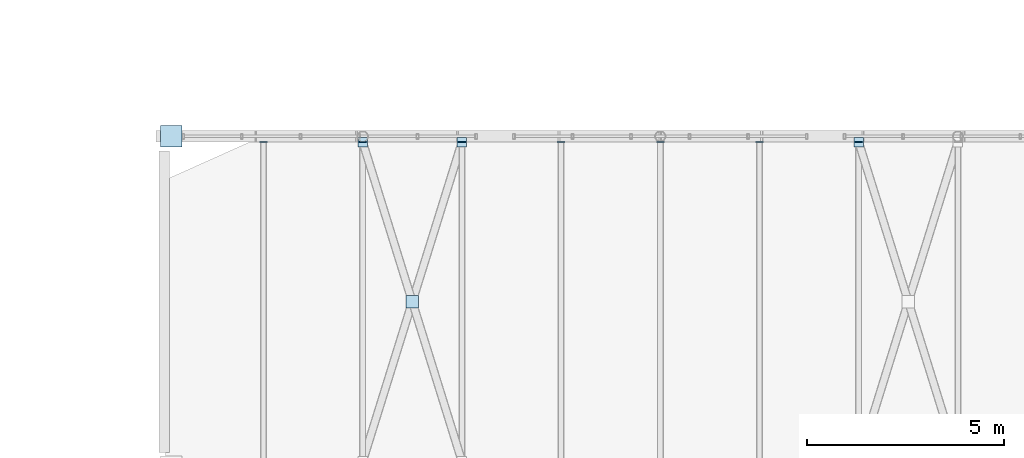
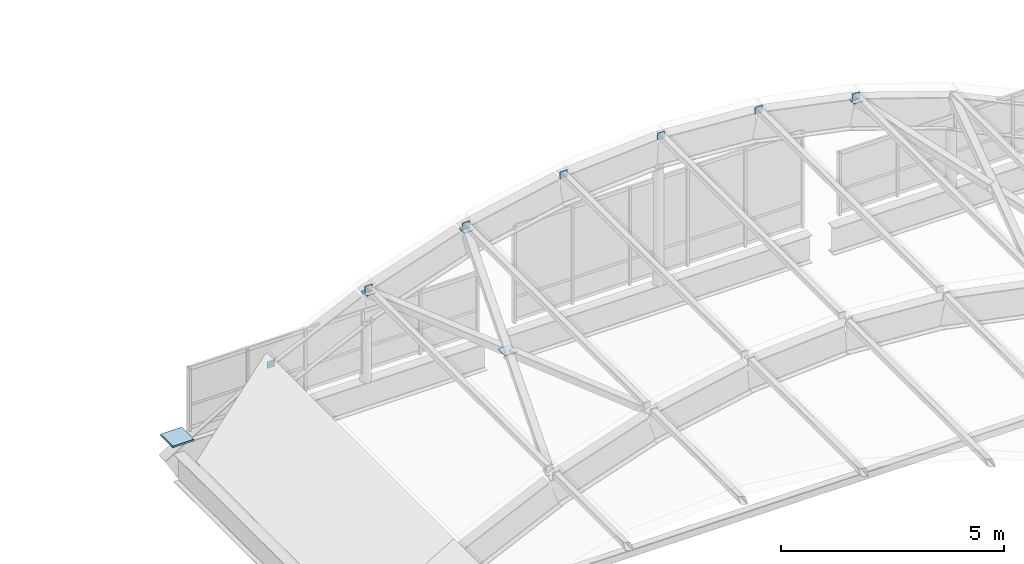
# One storey, part 89 of 107: 12 plates.
"""IFC4 building model written with IfcOpenShell, lengths in metres."""

from ifc_helpers import new_model, si_unit, direction, frame, origin, origin_2d, place, context, subcontext, project, spatial, rectangle, extrude, material, layer, layer_set, type_object, element, save


model = new_model("IFC4")

# Units and contexts
model_context = context("Model", 3, precision=1e-05, world=origin(), true_north=direction((0.0, 1.0)))
body_context = subcontext(model_context, "Body", "Model", "MODEL_VIEW")
ifc_project = project(units=[si_unit("LENGTHUNIT", "METRE"), si_unit("AREAUNIT", "SQUARE_METRE"), si_unit("VOLUMEUNIT", "CUBIC_METRE"), si_unit("PLANEANGLEUNIT", "RADIAN"), si_unit("MASSUNIT", "GRAM", prefix="KILO")], contexts=[model_context])

# Site, building, storey
site_placement = place(None, origin())
site = spatial("IfcSite", under=ifc_project, at=site_placement, CompositionType="ELEMENT")
building_placement = place(site_placement, origin())
building = spatial("IfcBuilding", under=site, at=building_placement, Name="Vireocrest Preparatory School", CompositionType="ELEMENT")
storey_placement = place(building_placement, frame((0.0, 0.0, 13.199951171875)))
storey = spatial("IfcBuildingStorey", under=building, at=storey_placement, Name="L03", CompositionType="ELEMENT", Elevation=13.199951171875)

# Plates
ifc_material = material(Name="Structural steel ASTM A572 Grade 50", Category="steel")
ifc_layer_1 = layer(ifc_material, 0.013916015625)
ifc_layer_set_1 = layer_set([ifc_layer_1], Name="Structural steel ASTM A572 Grade 50")
plate_type_1 = type_object("IfcPlateType", Name="Assembly Vault Purlin Steel End Cap Plate 14", PredefinedType="SHEET", material=ifc_layer_set_1)
for number, where, z_axis, x_axis, name in (
    (1, (145.320068359375, 52.05908203125, 1.0810546875), (0.0, 0.0, 1.0), (1.0, 0.0, 0.0), "Purlin End Cap CP3 VAULT_ASSEMBLY B4-N-2"),
    (2, (147.840087890625, 52.05908203125, 2.26171875), (0.0, 0.0, 1.0), (1.0, 0.0, 0.0), "Purlin End Cap CP3 VAULT_ASSEMBLY B4-N-3"),
    (3, (150.360107421875, 52.05908203125, 3.107666015625), (0.0, 0.0, 1.0), (1.0, 0.0, 0.0), "Purlin End Cap CP3 VAULT_ASSEMBLY B4-N-4"),
    (4, (152.8798828125, 52.05908203125, 3.619384765625), (0.0, 0.0, 1.0), (1.0, 0.0, 0.0), "Purlin End Cap CP3 VAULT_ASSEMBLY B4-N-5"),
    (5, (155.39990234375, 52.05908203125, 3.796875), (0.0, 0.0, 1.0), (1.0, 0.0, 0.0), "Purlin End Cap CP3 VAULT_ASSEMBLY B4-N-6"),
    (6, (157.919921875, 52.05908203125, 3.619384765625), (0.0, 0.0, 1.0), (1.0, 0.0, 0.0), "Purlin End Cap CP3 VAULT_ASSEMBLY B4-N-7"),
    (7, (160.43994140625, 52.05908203125, 3.107666015625), (0.0, 0.0, 1.0), (1.0, 0.0, 0.0), "Purlin End Cap CP3 VAULT_ASSEMBLY B4-N-8"),
):
    element("IfcPlate", number, at=place(storey_placement, frame(where, z_axis=z_axis, x_axis=x_axis)), inside=storey, type_object=plate_type_1, Name=name, PredefinedType="SHEET", context=body_context, shape_type="SweptSolid", body=[
        extrude(rectangle(XDim=0.18798828125, YDim=0.013916015625, at=origin_2d()), origin(), (0.0, 0.0, 1.0), 0.18798828125),
    ])
ifc_layer_2 = layer(ifc_material, 0.0458984375)
ifc_layer_set_2 = layer_set([ifc_layer_2], Name="Structural steel ASTM A572 Grade 50")
plate_type_2 = type_object("IfcPlateType", Name="Barrel-Vault Springing Gusset Shoe Plate 46", PredefinedType="SHEET", material=ifc_layer_set_2)
plate_1_placement = place(storey_placement, frame((142.97998046875, 52.199951171875, -0.122802734375), z_axis=(0.0, 0.0, 1.0), x_axis=(1.0, 0.0, 0.0)))
element("IfcPlate", 8, at=plate_1_placement, inside=storey, type_object=plate_type_2, Name="Node AS1 Vault Springing Shoe VAULT_ASSEMBLY-5W", PredefinedType="SHEET", context=body_context, shape_type="SweptSolid", body=[
    extrude(rectangle(XDim=0.550048828125, YDim=0.550048828125, at=origin_2d()), origin(), (0.0, 0.0, 1.0), 0.0458984375),
])
ifc_layer_3 = layer(ifc_material, 0.02001953125)
ifc_layer_set_3 = layer_set([ifc_layer_3], Name="Structural steel ASTM A572 Grade 50")
plate_type_3 = type_object("IfcPlateType", Name="Hollow Section Steel End Cap Plate 20", PredefinedType="SHEET", material=ifc_layer_set_3)
plate_2_placement = place(storey_placement, frame((150.360107421875, 52.053955078125, 3.087158203125), z_axis=(0.0, 0.0, 1.0), x_axis=(1.0, 0.0, 0.0)))
element("IfcPlate", 9, at=plate_2_placement, inside=storey, type_object=plate_type_3, Name="Brace Cap Plate CP1 VAULT_ASSEMBLY-4-3B", PredefinedType="SHEET", context=body_context, shape_type="SweptSolid", body=[
    extrude(rectangle(XDim=0.239990234375, YDim=0.239990234375, at=origin_2d()), origin(), (0.0, 0.0, 1.0), 0.02001953125),
])
plate_3_placement = place(storey_placement, frame((149.10009765625, 48.0, 2.6689453125), z_axis=(0.0, 0.0, 1.0), x_axis=(1.0, 0.0, 0.0)))
element("IfcPlate", 10, at=plate_3_placement, inside=storey, type_object=plate_type_3, Name="X-Brace Crossing Gusset CP1 VAULT_ASSEMBLY-4-3", PredefinedType="SHEET", context=body_context, shape_type="SweptSolid", body=[
    extrude(rectangle(XDim=0.320068359375, YDim=0.320068359375, at=origin_2d()), origin(), (0.0, 0.0, 1.0), 0.02001953125),
])
for number, where, z_axis, x_axis, name in (
    (11, (147.840087890625, 52.053955078125, 2.2509765625), (0.0, 0.0, 1.0), (1.0, 0.0, 0.0), "Brace Cap Plate CP1 VAULT_ASSEMBLY-4-3C"),
    (12, (160.43994140625, 52.053955078125, 3.087158203125), (0.0, 0.0, 1.0), (1.0, 0.0, 0.0), "Brace Cap Plate CP1 VAULT_ASSEMBLY-4-8C"),
):
    element("IfcPlate", number, at=place(storey_placement, frame(where, z_axis=z_axis, x_axis=x_axis)), inside=storey, type_object=plate_type_3, Name=name, PredefinedType="SHEET", context=body_context, shape_type="SweptSolid", body=[
        extrude(rectangle(XDim=0.239990234375, YDim=0.239990234375, at=origin_2d()), origin(), (0.0, 0.0, 1.0), 0.02001953125),
    ])

save(model, "model.ifc")
